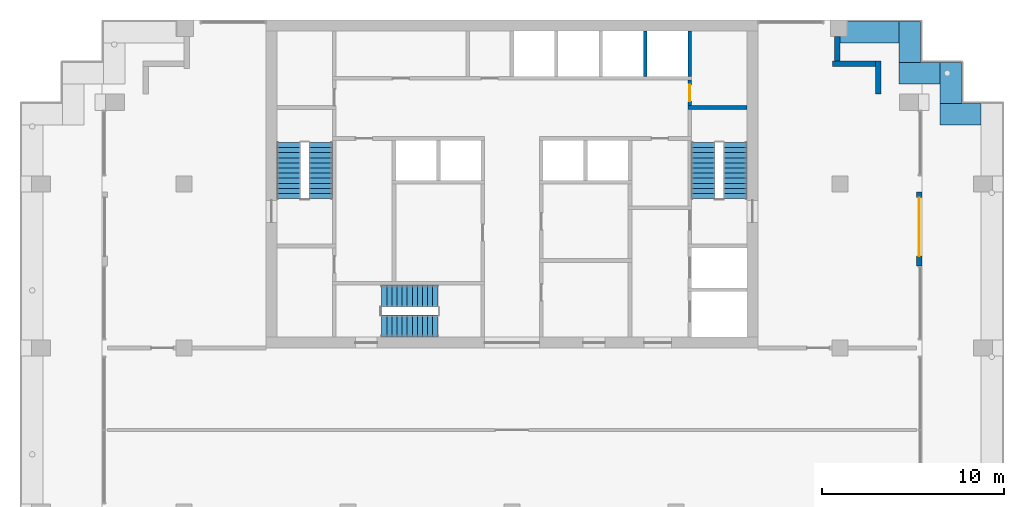
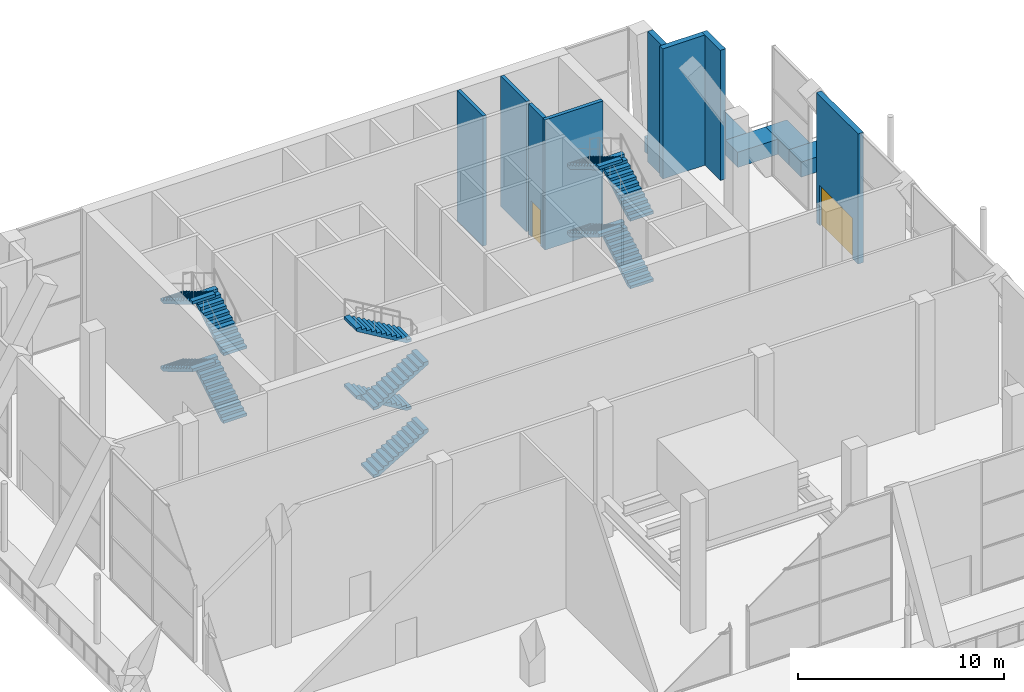
# One storey, part 9 of 12: 13 walls, 12 stair flights, 2 doors, 2 openings, 3 elements without a shape of their own.
"""IFC4 building model written with IfcOpenShell, lengths in metres."""

from ifc_helpers import new_model, si_unit, direction, frame, frame_2d, origin, place, context, subcontext, project, spatial, polyline, rectangle, outline, extrude, material, layer, layer_set, type_object, element, fill, aggregate, save


model = new_model("IFC4")

# Units and contexts
model_context = context("Model", 3, precision=1e-05, world=origin(), true_north=direction((0.0, 1.0)))
body_context = subcontext(model_context, "Body", "Model", "MODEL_VIEW")
ifc_project = project(units=[si_unit("LENGTHUNIT", "METRE"), si_unit("AREAUNIT", "SQUARE_METRE"), si_unit("VOLUMEUNIT", "CUBIC_METRE"), si_unit("PLANEANGLEUNIT", "RADIAN"), si_unit("MASSUNIT", "GRAM", prefix="KILO")], contexts=[model_context])

# Site, building, storey
site_placement = place(None, origin())
site = spatial("IfcSite", under=ifc_project, at=site_placement, CompositionType="ELEMENT")
building_placement = place(site_placement, origin())
building = spatial("IfcBuilding", under=site, at=building_placement, Name="Orbiselva Terraces", CompositionType="ELEMENT")
storey_placement = place(building_placement, frame((0.0, 0.0, 289.4)))
storey = spatial("IfcBuildingStorey", under=building, at=storey_placement, Name="L73", CompositionType="ELEMENT", Elevation=289.4)

# Wall, opening, door
ifc_material_1 = material(Name="Masonry blockwork", Category="masonry")
ifc_layer_1 = layer(ifc_material_1, 0.2)
ifc_layer_set_1 = layer_set([ifc_layer_1], Name="Masonry blockwork")
wall_type_1 = type_object("IfcWallType", Name="CORE-WALL-PARTITION-200", PredefinedType="PARTITIONING", material=ifc_layer_set_1)
wall_1_placement = place(storey_placement, frame((9.75, 19.2, 0.0), z_axis=(0.0, 0.0, 1.0), x_axis=(0.0, -1.0, 0.0)))
wall_1 = element("IfcWall", 1, at=wall_1_placement, inside=storey, type_object=wall_type_1, Name="L73 core wall 44", PredefinedType="PARTITIONING", context=body_context, shape_type="SweptSolid", body=[
    extrude(rectangle(XDim=1.4, YDim=0.2, at=frame_2d((0.7, 0.0))), origin(), (0.0, 0.0, 1.0), 7.7),
])
opening_1_placement = place(wall_1_placement, frame((0.25, 0.0, 0.0)))
opening_1 = element("IfcOpeningElement", 2, at=opening_1_placement, cuts=wall_1, Name="Opening DR900", PredefinedType="OPENING", context=body_context, shape_type="SweptSolid", body=[
    extrude(rectangle(XDim=0.9, YDim=2.1, at=frame_2d((0.45, 1.05))), frame((0.0, 0.11, 0.0), z_axis=(0.0, -1.0, 0.0), x_axis=(1.0, 0.0, 0.0)), (0.0, 0.0, 1.0), 0.22),
])
ifc_material_2 = material(Name="Steel fire door", Category="steel")
door_type_1 = type_object("IfcDoorType", Name="ROOM DOOR 900", OperationType="NOTDEFINED", PredefinedType="DOOR", material=ifc_material_2)
door_1_placement = place(opening_1_placement, origin())
door_1 = element("IfcDoor", 3, at=door_1_placement, inside=storey, type_object=door_type_1, Name="L73 ELECTRICAL RISER ROOM door", OperationType="SINGLE_SWING_RIGHT", OverallHeight=2.1, OverallWidth=0.9, PredefinedType="DOOR", context=body_context, shape_type="SweptSolid", body=[
    extrude(rectangle(XDim=0.9, YDim=2.1, at=frame_2d((0.45, 1.05))), frame((0.0, 0.025, 0.0), z_axis=(0.0, -1.0, 0.0), x_axis=(1.0, 0.0, 0.0)), (0.0, 0.0, 1.0), 0.05),
])
fill(opening_1, door_1)

# Walls
ifc_material_3 = material(Name="Concrete C40/50", Category="concrete")
ifc_layer_2 = layer(ifc_material_3, 0.2)
ifc_layer_set_2 = layer_set([ifc_layer_2], Name="Concrete C40/50")
wall_type_2 = type_object("IfcWallType", Name="CORE-WALL-SHAFT-200", PredefinedType="PARTITIONING", material=ifc_layer_set_2)
for number, where, z_axis, x_axis, name in (
    (4, (7.3125, 19.4, 0.0), (0.0, 0.0, 1.0), (0.0, 1.0, 0.0), "L73 core wall 35"),
    (5, (9.75, 19.4, 0.0), (0.0, 0.0, 1.0), (0.0, 1.0, 0.0), "L73 core wall 45"),
):
    element("IfcWall", number, at=place(storey_placement, frame(where, z_axis=z_axis, x_axis=x_axis)), inside=storey, type_object=wall_type_2, Name=name, PredefinedType="PARTITIONING", context=body_context, shape_type="SweptSolid", body=[
        extrude(rectangle(XDim=2.5, YDim=0.2, at=frame_2d((1.25, 0.0))), origin(), (0.0, 0.0, 1.0), 7.7),
    ])
ifc_material_4 = material(Name="Concrete C60/75", Category="concrete")
ifc_layer_3 = layer(ifc_material_4, 0.2)
ifc_layer_set_3 = layer_set([ifc_layer_3], Name="Concrete C60/75")
wall_type_3 = type_object("IfcWallType", Name="CORE-WALL-SHEAR-200", PredefinedType="SHEAR", material=ifc_layer_set_3)
wall_2_placement = place(storey_placement, frame((9.65, 17.7, 0.0), z_axis=(0.0, 0.0, 1.0), x_axis=(1.0, 0.0, 0.0)))
element("IfcWall", 6, at=wall_2_placement, inside=storey, type_object=wall_type_3, Name="L73 core wall 43", PredefinedType="SHEAR", context=body_context, shape_type="SweptSolid", body=[
    extrude(rectangle(XDim=3.25, YDim=0.2, at=frame_2d((1.625, 0.0))), origin(), (0.0, 0.0, 1.0), 7.7),
])
ifc_layer_4 = layer(ifc_material_3, 1.2)
ifc_layer_set_4 = layer_set([ifc_layer_4], Name="Concrete C40/50")
wall_type_4 = type_object("IfcWallType", Name="ENV-GARDEN-BED-1200x900", PredefinedType="USERDEFINED", material=ifc_layer_set_4)
for number, where, z_axis, x_axis, name in (
    (7, (25.73, 17.33, 0.0), (0.0, 0.0, 1.0), (-1.0, 0.0, 0.0), "Planter bed L73 ring"),
    (8, (24.08, 17.93, 0.0), (0.0, 0.0, 1.0), (0.0, 1.0, 0.0), "Planter bed L73 ring"),
    (9, (23.48, 19.58, 0.0), (0.0, 0.0, 1.0), (-1.0, 0.0, 0.0), "Planter bed L73 ring"),
    (10, (21.83, 20.18, 0.0), (0.0, 0.0, 1.0), (0.0, 1.0, 0.0), "Planter bed L73 ring"),
):
    element("IfcWall", number, at=place(storey_placement, frame(where, z_axis=z_axis, x_axis=x_axis)), inside=storey, type_object=wall_type_4, Name=name, ObjectType="PLANTER", PredefinedType="USERDEFINED", context=body_context, shape_type="SweptSolid", body=[
        extrude(rectangle(XDim=2.25, YDim=1.2, at=frame_2d((1.125, 0.0))), origin(), (0.0, 0.0, 1.0), 0.9),
    ])
wall_3_placement = place(storey_placement, frame((21.23, 21.83, 0.0), z_axis=(0.0, 0.0, 1.0), x_axis=(-1.0, 0.0, 0.0)))
element("IfcWall", 11, at=wall_3_placement, inside=storey, type_object=wall_type_4, Name="Planter bed L73 ring", ObjectType="PLANTER", PredefinedType="USERDEFINED", context=body_context, shape_type="SweptSolid", body=[
    extrude(rectangle(XDim=3.23, YDim=1.2, at=frame_2d((1.615, 0.0))), origin(), (0.0, 0.0, 1.0), 0.9),
])

# Wall, opening, door
ifc_material_5 = material(Name="Terracotta cladding on masonry backing", Category="masonry")
ifc_layer_5 = layer(ifc_material_5, 0.3)
ifc_layer_set_5 = layer_set([ifc_layer_5], Name="Terracotta cladding on masonry backing")
wall_type_5 = type_object("IfcWallType", Name="ENV-WALL-TERRACOTTA-300", PredefinedType="SOLIDWALL", material=ifc_layer_set_5)
wall_4_placement = place(storey_placement, frame((22.35, 13.05, 0.0), z_axis=(0.0, 0.0, 1.0), x_axis=(0.0, -1.0, 0.0)))
wall_4 = element("IfcWall", 12, at=wall_4_placement, inside=storey, type_object=wall_type_5, Name="Facade wall L73 E", PredefinedType="SOLIDWALL", context=body_context, shape_type="SweptSolid", body=[
    extrude(rectangle(XDim=4.05, YDim=0.3, at=frame_2d((2.025, 0.0))), origin(), (0.0, 0.0, 1.0), 7.7),
])
opening_2_placement = place(wall_4_placement, frame((0.3, 0.0, 0.0)))
opening_2 = element("IfcOpeningElement", 13, at=opening_2_placement, cuts=wall_4, Name="Opening DAMPER-E04", PredefinedType="OPENING", context=body_context, shape_type="SweptSolid", body=[
    extrude(rectangle(XDim=3.2, YDim=2.4, at=frame_2d((1.6, 1.2))), frame((0.0, 0.16, 0.0), z_axis=(0.0, -1.0, 0.0), x_axis=(1.0, 0.0, 0.0)), (0.0, 0.0, 1.0), 0.32),
])
ifc_material_6 = material(Name="Clear low-e glazing in aluminium frame", Category="aluminium")
door_type_2 = type_object("IfcDoorType", Name="TERRACE DOOR 3200 X 2400", OperationType="DOUBLE_DOOR_SINGLE_SWING", PredefinedType="DOOR", material=ifc_material_6)
door_2_placement = place(opening_2_placement, origin())
door_2 = element("IfcDoor", 14, at=door_2_placement, inside=storey, type_object=door_type_2, Name="DAMPER-E04", OperationType="SINGLE_SWING_LEFT", OverallHeight=2.4, OverallWidth=3.2, PredefinedType="DOOR", context=body_context, shape_type="SweptSolid", body=[
    extrude(rectangle(XDim=3.2, YDim=2.4, at=frame_2d((1.6, 1.2))), frame((0.0, 0.025, 0.0), z_axis=(0.0, -1.0, 0.0), x_axis=(1.0, 0.0, 0.0)), (0.0, 0.0, 1.0), 0.05),
])
fill(opening_2, door_2)

# Walls
wall_5_placement = place(storey_placement, frame((20.1, 20.25, 0.0), z_axis=(0.0, 0.0, 1.0), x_axis=(0.0, -1.0, 0.0)))
element("IfcWall", 15, at=wall_5_placement, inside=storey, type_object=wall_type_5, Name="Facade wall L73 STEP", PredefinedType="SOLIDWALL", context=body_context, shape_type="SweptSolid", body=[
    extrude(rectangle(XDim=1.8, YDim=0.3, at=frame_2d((0.9, 0.0))), origin(), (0.0, 0.0, 1.0), 7.7),
])
wall_6_placement = place(storey_placement, frame((17.6, 20.1, 0.0), z_axis=(0.0, 0.0, 1.0), x_axis=(1.0, 0.0, 0.0)))
element("IfcWall", 16, at=wall_6_placement, inside=storey, type_object=wall_type_5, Name="Facade wall L73 STEP", PredefinedType="SOLIDWALL", context=body_context, shape_type="SweptSolid", body=[
    extrude(rectangle(XDim=2.35, YDim=0.3, at=frame_2d((1.175, 0.0))), origin(), (0.0, 0.0, 1.0), 7.7),
])
wall_7_placement = place(storey_placement, frame((17.85, 21.6, 0.0), z_axis=(0.0, 0.0, 1.0), x_axis=(0.0, -1.0, 0.0)))
element("IfcWall", 17, at=wall_7_placement, inside=storey, type_object=wall_type_5, Name="Facade wall L73 STEP", PredefinedType="SOLIDWALL", context=body_context, shape_type="SweptSolid", body=[
    extrude(rectangle(XDim=1.35, YDim=0.3, at=frame_2d((0.675, 0.0))), origin(), (0.0, 0.0, 1.0), 7.7),
])

# Stair, stair flights
stair_type_1 = type_object("IfcStairType", Name="CORE-STAIR-1200", PredefinedType="HALF_TURN_STAIR", material=ifc_material_3)
stair_1_placement = place(storey_placement, origin())
stair_1 = element("IfcStair", 18, at=stair_1_placement, inside=storey, type_object=stair_type_1, Name="L73 Exit Stair S3", PredefinedType="HALF_TURN_STAIR")
stair_flight_type_1 = type_object("IfcStairFlightType", Name="CORE-STAIR-FLIGHT-1200", PredefinedType="STRAIGHT", material=ifc_material_3)
stair_flight_1_placement = place(storey_placement, frame((-7.15, 5.7, 0.0), z_axis=(0.0, 0.0, 1.0), x_axis=(1.0, 0.0, 0.0)))
stair_flight_1 = element("IfcStairFlight", 19, at=stair_flight_1_placement, type_object=stair_flight_type_1, Name="S3 flight 1", NumberOfRisers=12, NumberOfTreads=11, PredefinedType="STRAIGHT", RiserHeight=0.166666667, TreadLength=0.28, context=body_context, shape_type="SweptSolid", body=[
    extrude(outline(polyline([(0.0, 0.0), (0.0, 0.166667), (0.28, 0.166667), (0.28, 0.333333), (0.56, 0.333333), (0.56, 0.5), (0.84, 0.5), (0.84, 0.666667), (1.12, 0.666667), (1.12, 0.833333), (1.4, 0.833333), (1.4, 1.0), (1.68, 1.0), (1.68, 1.166667), (1.96, 1.166667), (1.96, 1.333333), (2.24, 1.333333), (2.24, 1.5), (2.52, 1.5), (2.52, 1.666667), (2.8, 1.666667), (2.8, 1.833333), (3.08, 1.833333), (3.08, 2.0), (3.08, 1.658771), (0.293264, 0.0), (0.0, 0.0)])), frame((0.0, 0.6, 0.0), z_axis=(0.0, -1.0, 0.0), x_axis=(1.0, 0.0, 0.0)), (0.0, 0.0, 1.0), 1.2),
])
stair_flight_2_placement = place(storey_placement, frame((-4.07, 7.35, 2.0), z_axis=(0.0, 0.0, 1.0), x_axis=(-1.0, 0.0, 0.0)))
stair_flight_2 = element("IfcStairFlight", 20, at=stair_flight_2_placement, type_object=stair_flight_type_1, Name="S3 flight 2", NumberOfRisers=12, NumberOfTreads=11, PredefinedType="STRAIGHT", RiserHeight=0.166666667, TreadLength=0.28, context=body_context, shape_type="SweptSolid", body=[
    extrude(outline(polyline([(0.0, 0.0), (0.0, 0.166667), (0.28, 0.166667), (0.28, 0.333333), (0.56, 0.333333), (0.56, 0.5), (0.84, 0.5), (0.84, 0.666667), (1.12, 0.666667), (1.12, 0.833333), (1.4, 0.833333), (1.4, 1.0), (1.68, 1.0), (1.68, 1.166667), (1.96, 1.166667), (1.96, 1.333333), (2.24, 1.333333), (2.24, 1.5), (2.52, 1.5), (2.52, 1.666667), (2.8, 1.666667), (2.8, 1.833333), (3.08, 1.833333), (3.08, 2.0), (3.08, 1.658771), (0.293264, 0.0), (0.0, 0.0)])), frame((0.0, 0.6, 0.0), z_axis=(0.0, -1.0, 0.0), x_axis=(1.0, 0.0, 0.0)), (0.0, 0.0, 1.0), 1.2),
])
stair_flight_3_placement = place(storey_placement, frame((-7.15, 5.7, 4.0), z_axis=(0.0, 0.0, 1.0), x_axis=(1.0, 0.0, 0.0)))
stair_flight_3 = element("IfcStairFlight", 21, at=stair_flight_3_placement, type_object=stair_flight_type_1, Name="S3 flight 3", NumberOfRisers=12, NumberOfTreads=11, PredefinedType="STRAIGHT", RiserHeight=0.166666667, TreadLength=0.28, context=body_context, shape_type="SweptSolid", body=[
    extrude(outline(polyline([(0.0, 0.0), (0.0, 0.166667), (0.28, 0.166667), (0.28, 0.333333), (0.56, 0.333333), (0.56, 0.5), (0.84, 0.5), (0.84, 0.666667), (1.12, 0.666667), (1.12, 0.833333), (1.4, 0.833333), (1.4, 1.0), (1.68, 1.0), (1.68, 1.166667), (1.96, 1.166667), (1.96, 1.333333), (2.24, 1.333333), (2.24, 1.5), (2.52, 1.5), (2.52, 1.666667), (2.8, 1.666667), (2.8, 1.833333), (3.08, 1.833333), (3.08, 2.0), (3.08, 1.658771), (0.293264, 0.0), (0.0, 0.0)])), frame((0.0, 0.6, 0.0), z_axis=(0.0, -1.0, 0.0), x_axis=(1.0, 0.0, 0.0)), (0.0, 0.0, 1.0), 1.2),
])
stair_flight_4_placement = place(storey_placement, frame((-4.07, 7.35, 6.0), z_axis=(0.0, 0.0, 1.0), x_axis=(-1.0, 0.0, 0.0)))
stair_flight_4 = element("IfcStairFlight", 22, at=stair_flight_4_placement, type_object=stair_flight_type_1, Name="S3 flight 4", NumberOfRisers=12, NumberOfTreads=11, PredefinedType="STRAIGHT", RiserHeight=0.166666667, TreadLength=0.28, context=body_context, shape_type="SweptSolid", body=[
    extrude(outline(polyline([(0.0, 0.0), (0.0, 0.166667), (0.28, 0.166667), (0.28, 0.333333), (0.56, 0.333333), (0.56, 0.5), (0.84, 0.5), (0.84, 0.666667), (1.12, 0.666667), (1.12, 0.833333), (1.4, 0.833333), (1.4, 1.0), (1.68, 1.0), (1.68, 1.166667), (1.96, 1.166667), (1.96, 1.333333), (2.24, 1.333333), (2.24, 1.5), (2.52, 1.5), (2.52, 1.666667), (2.8, 1.666667), (2.8, 1.833333), (3.08, 1.833333), (3.08, 2.0), (3.08, 1.658771), (0.293264, 0.0), (0.0, 0.0)])), frame((0.0, 0.6, 0.0), z_axis=(0.0, -1.0, 0.0), x_axis=(1.0, 0.0, 0.0)), (0.0, 0.0, 1.0), 1.2),
])
aggregate(stair_1, [stair_flight_1, stair_flight_2, stair_flight_3, stair_flight_4])

stair_type_2 = type_object("IfcStairType", Name="CORE-STAIR-1300", PredefinedType="HALF_TURN_STAIR", material=ifc_material_3)
stair_2_placement = place(storey_placement, origin())
stair_2 = element("IfcStair", 23, at=stair_2_placement, inside=storey, type_object=stair_type_2, Name="L73 Exit Stair S1", PredefinedType="HALF_TURN_STAIR")
stair_flight_type_2 = type_object("IfcStairFlightType", Name="CORE-STAIR-FLIGHT-1300", PredefinedType="STRAIGHT", material=ifc_material_3)
stair_flight_5_placement = place(storey_placement, frame((-10.5, 12.7, 0.0), z_axis=(0.0, 0.0, 1.0), x_axis=(0.0, 1.0, 0.0)))
stair_flight_5 = element("IfcStairFlight", 24, at=stair_flight_5_placement, type_object=stair_flight_type_2, Name="S1 flight 1", NumberOfRisers=12, NumberOfTreads=11, PredefinedType="STRAIGHT", RiserHeight=0.166666667, TreadLength=0.28, context=body_context, shape_type="SweptSolid", body=[
    extrude(outline(polyline([(0.0, 0.0), (0.0, 0.166667), (0.28, 0.166667), (0.28, 0.333333), (0.56, 0.333333), (0.56, 0.5), (0.84, 0.5), (0.84, 0.666667), (1.12, 0.666667), (1.12, 0.833333), (1.4, 0.833333), (1.4, 1.0), (1.68, 1.0), (1.68, 1.166667), (1.96, 1.166667), (1.96, 1.333333), (2.24, 1.333333), (2.24, 1.5), (2.52, 1.5), (2.52, 1.666667), (2.8, 1.666667), (2.8, 1.833333), (3.08, 1.833333), (3.08, 2.0), (3.08, 1.658771), (0.293264, 0.0), (0.0, 0.0)])), frame((0.0, 0.65, 0.0), z_axis=(0.0, -1.0, 0.0), x_axis=(1.0, 0.0, 0.0)), (0.0, 0.0, 1.0), 1.3),
])
stair_flight_6_placement = place(storey_placement, frame((-12.25, 15.78, 2.0), z_axis=(0.0, 0.0, 1.0), x_axis=(0.0, -1.0, 0.0)))
stair_flight_6 = element("IfcStairFlight", 25, at=stair_flight_6_placement, type_object=stair_flight_type_2, Name="S1 flight 2", NumberOfRisers=12, NumberOfTreads=11, PredefinedType="STRAIGHT", RiserHeight=0.166666667, TreadLength=0.28, context=body_context, shape_type="SweptSolid", body=[
    extrude(outline(polyline([(0.0, 0.0), (0.0, 0.166667), (0.28, 0.166667), (0.28, 0.333333), (0.56, 0.333333), (0.56, 0.5), (0.84, 0.5), (0.84, 0.666667), (1.12, 0.666667), (1.12, 0.833333), (1.4, 0.833333), (1.4, 1.0), (1.68, 1.0), (1.68, 1.166667), (1.96, 1.166667), (1.96, 1.333333), (2.24, 1.333333), (2.24, 1.5), (2.52, 1.5), (2.52, 1.666667), (2.8, 1.666667), (2.8, 1.833333), (3.08, 1.833333), (3.08, 2.0), (3.08, 1.658771), (0.293264, 0.0), (0.0, 0.0)])), frame((0.0, 0.65, 0.0), z_axis=(0.0, -1.0, 0.0), x_axis=(1.0, 0.0, 0.0)), (0.0, 0.0, 1.0), 1.3),
])
stair_flight_7_placement = place(storey_placement, frame((-10.5, 12.7, 4.0), z_axis=(0.0, 0.0, 1.0), x_axis=(0.0, 1.0, 0.0)))
stair_flight_7 = element("IfcStairFlight", 26, at=stair_flight_7_placement, type_object=stair_flight_type_2, Name="S1 flight 3", NumberOfRisers=12, NumberOfTreads=11, PredefinedType="STRAIGHT", RiserHeight=0.166666667, TreadLength=0.28, context=body_context, shape_type="SweptSolid", body=[
    extrude(outline(polyline([(0.0, 0.0), (0.0, 0.166667), (0.28, 0.166667), (0.28, 0.333333), (0.56, 0.333333), (0.56, 0.5), (0.84, 0.5), (0.84, 0.666667), (1.12, 0.666667), (1.12, 0.833333), (1.4, 0.833333), (1.4, 1.0), (1.68, 1.0), (1.68, 1.166667), (1.96, 1.166667), (1.96, 1.333333), (2.24, 1.333333), (2.24, 1.5), (2.52, 1.5), (2.52, 1.666667), (2.8, 1.666667), (2.8, 1.833333), (3.08, 1.833333), (3.08, 2.0), (3.08, 1.658771), (0.293264, 0.0), (0.0, 0.0)])), frame((0.0, 0.65, 0.0), z_axis=(0.0, -1.0, 0.0), x_axis=(1.0, 0.0, 0.0)), (0.0, 0.0, 1.0), 1.3),
])
stair_flight_8_placement = place(storey_placement, frame((-12.25, 15.78, 6.0), z_axis=(0.0, 0.0, 1.0), x_axis=(0.0, -1.0, 0.0)))
stair_flight_8 = element("IfcStairFlight", 27, at=stair_flight_8_placement, type_object=stair_flight_type_2, Name="S1 flight 4", NumberOfRisers=12, NumberOfTreads=11, PredefinedType="STRAIGHT", RiserHeight=0.166666667, TreadLength=0.28, context=body_context, shape_type="SweptSolid", body=[
    extrude(outline(polyline([(0.0, 0.0), (0.0, 0.166667), (0.28, 0.166667), (0.28, 0.333333), (0.56, 0.333333), (0.56, 0.5), (0.84, 0.5), (0.84, 0.666667), (1.12, 0.666667), (1.12, 0.833333), (1.4, 0.833333), (1.4, 1.0), (1.68, 1.0), (1.68, 1.166667), (1.96, 1.166667), (1.96, 1.333333), (2.24, 1.333333), (2.24, 1.5), (2.52, 1.5), (2.52, 1.666667), (2.8, 1.666667), (2.8, 1.833333), (3.08, 1.833333), (3.08, 2.0), (3.08, 1.658771), (0.293264, 0.0), (0.0, 0.0)])), frame((0.0, 0.65, 0.0), z_axis=(0.0, -1.0, 0.0), x_axis=(1.0, 0.0, 0.0)), (0.0, 0.0, 1.0), 1.3),
])
aggregate(stair_2, [stair_flight_5, stair_flight_6, stair_flight_7, stair_flight_8])

stair_3_placement = place(storey_placement, origin())
stair_3 = element("IfcStair", 28, at=stair_3_placement, inside=storey, type_object=stair_type_2, Name="L73 Exit Stair S2", PredefinedType="HALF_TURN_STAIR")
stair_flight_9_placement = place(storey_placement, frame((12.25, 12.7, 0.0), z_axis=(0.0, 0.0, 1.0), x_axis=(0.0, 1.0, 0.0)))
stair_flight_9 = element("IfcStairFlight", 29, at=stair_flight_9_placement, type_object=stair_flight_type_2, Name="S2 flight 1", NumberOfRisers=12, NumberOfTreads=11, PredefinedType="STRAIGHT", RiserHeight=0.166666667, TreadLength=0.28, context=body_context, shape_type="SweptSolid", body=[
    extrude(outline(polyline([(0.0, 0.0), (0.0, 0.166667), (0.28, 0.166667), (0.28, 0.333333), (0.56, 0.333333), (0.56, 0.5), (0.84, 0.5), (0.84, 0.666667), (1.12, 0.666667), (1.12, 0.833333), (1.4, 0.833333), (1.4, 1.0), (1.68, 1.0), (1.68, 1.166667), (1.96, 1.166667), (1.96, 1.333333), (2.24, 1.333333), (2.24, 1.5), (2.52, 1.5), (2.52, 1.666667), (2.8, 1.666667), (2.8, 1.833333), (3.08, 1.833333), (3.08, 2.0), (3.08, 1.658771), (0.293264, 0.0), (0.0, 0.0)])), frame((0.0, 0.65, 0.0), z_axis=(0.0, -1.0, 0.0), x_axis=(1.0, 0.0, 0.0)), (0.0, 0.0, 1.0), 1.3),
])
stair_flight_10_placement = place(storey_placement, frame((10.5, 15.78, 2.0), z_axis=(0.0, 0.0, 1.0), x_axis=(0.0, -1.0, 0.0)))
stair_flight_10 = element("IfcStairFlight", 30, at=stair_flight_10_placement, type_object=stair_flight_type_2, Name="S2 flight 2", NumberOfRisers=12, NumberOfTreads=11, PredefinedType="STRAIGHT", RiserHeight=0.166666667, TreadLength=0.28, context=body_context, shape_type="SweptSolid", body=[
    extrude(outline(polyline([(0.0, 0.0), (0.0, 0.166667), (0.28, 0.166667), (0.28, 0.333333), (0.56, 0.333333), (0.56, 0.5), (0.84, 0.5), (0.84, 0.666667), (1.12, 0.666667), (1.12, 0.833333), (1.4, 0.833333), (1.4, 1.0), (1.68, 1.0), (1.68, 1.166667), (1.96, 1.166667), (1.96, 1.333333), (2.24, 1.333333), (2.24, 1.5), (2.52, 1.5), (2.52, 1.666667), (2.8, 1.666667), (2.8, 1.833333), (3.08, 1.833333), (3.08, 2.0), (3.08, 1.658771), (0.293264, 0.0), (0.0, 0.0)])), frame((0.0, 0.65, 0.0), z_axis=(0.0, -1.0, 0.0), x_axis=(1.0, 0.0, 0.0)), (0.0, 0.0, 1.0), 1.3),
])
stair_flight_11_placement = place(storey_placement, frame((12.25, 12.7, 4.0), z_axis=(0.0, 0.0, 1.0), x_axis=(0.0, 1.0, 0.0)))
stair_flight_11 = element("IfcStairFlight", 31, at=stair_flight_11_placement, type_object=stair_flight_type_2, Name="S2 flight 3", NumberOfRisers=12, NumberOfTreads=11, PredefinedType="STRAIGHT", RiserHeight=0.166666667, TreadLength=0.28, context=body_context, shape_type="SweptSolid", body=[
    extrude(outline(polyline([(0.0, 0.0), (0.0, 0.166667), (0.28, 0.166667), (0.28, 0.333333), (0.56, 0.333333), (0.56, 0.5), (0.84, 0.5), (0.84, 0.666667), (1.12, 0.666667), (1.12, 0.833333), (1.4, 0.833333), (1.4, 1.0), (1.68, 1.0), (1.68, 1.166667), (1.96, 1.166667), (1.96, 1.333333), (2.24, 1.333333), (2.24, 1.5), (2.52, 1.5), (2.52, 1.666667), (2.8, 1.666667), (2.8, 1.833333), (3.08, 1.833333), (3.08, 2.0), (3.08, 1.658771), (0.293264, 0.0), (0.0, 0.0)])), frame((0.0, 0.65, 0.0), z_axis=(0.0, -1.0, 0.0), x_axis=(1.0, 0.0, 0.0)), (0.0, 0.0, 1.0), 1.3),
])
stair_flight_12_placement = place(storey_placement, frame((10.5, 15.78, 6.0), z_axis=(0.0, 0.0, 1.0), x_axis=(0.0, -1.0, 0.0)))
stair_flight_12 = element("IfcStairFlight", 32, at=stair_flight_12_placement, type_object=stair_flight_type_2, Name="S2 flight 4", NumberOfRisers=12, NumberOfTreads=11, PredefinedType="STRAIGHT", RiserHeight=0.166666667, TreadLength=0.28, context=body_context, shape_type="SweptSolid", body=[
    extrude(outline(polyline([(0.0, 0.0), (0.0, 0.166667), (0.28, 0.166667), (0.28, 0.333333), (0.56, 0.333333), (0.56, 0.5), (0.84, 0.5), (0.84, 0.666667), (1.12, 0.666667), (1.12, 0.833333), (1.4, 0.833333), (1.4, 1.0), (1.68, 1.0), (1.68, 1.166667), (1.96, 1.166667), (1.96, 1.333333), (2.24, 1.333333), (2.24, 1.5), (2.52, 1.5), (2.52, 1.666667), (2.8, 1.666667), (2.8, 1.833333), (3.08, 1.833333), (3.08, 2.0), (3.08, 1.658771), (0.293264, 0.0), (0.0, 0.0)])), frame((0.0, 0.65, 0.0), z_axis=(0.0, -1.0, 0.0), x_axis=(1.0, 0.0, 0.0)), (0.0, 0.0, 1.0), 1.3),
])
aggregate(stair_3, [stair_flight_9, stair_flight_10, stair_flight_11, stair_flight_12])

save(model, "model.ifc")
